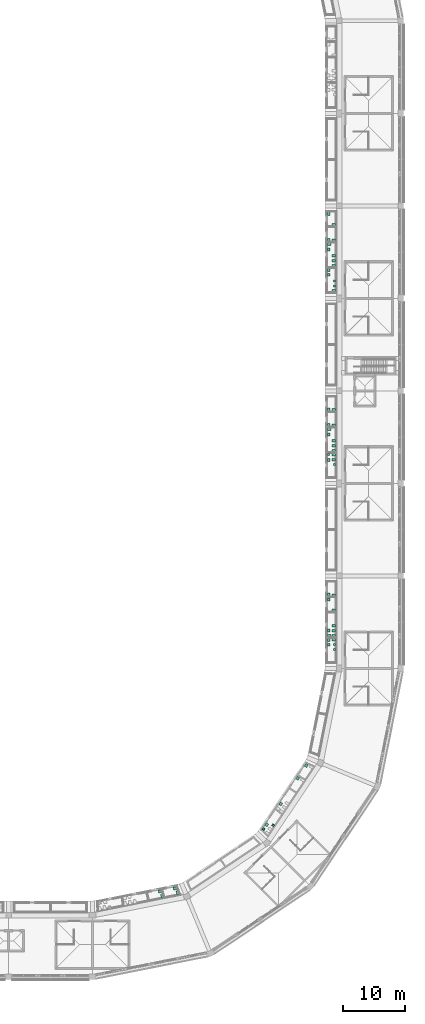
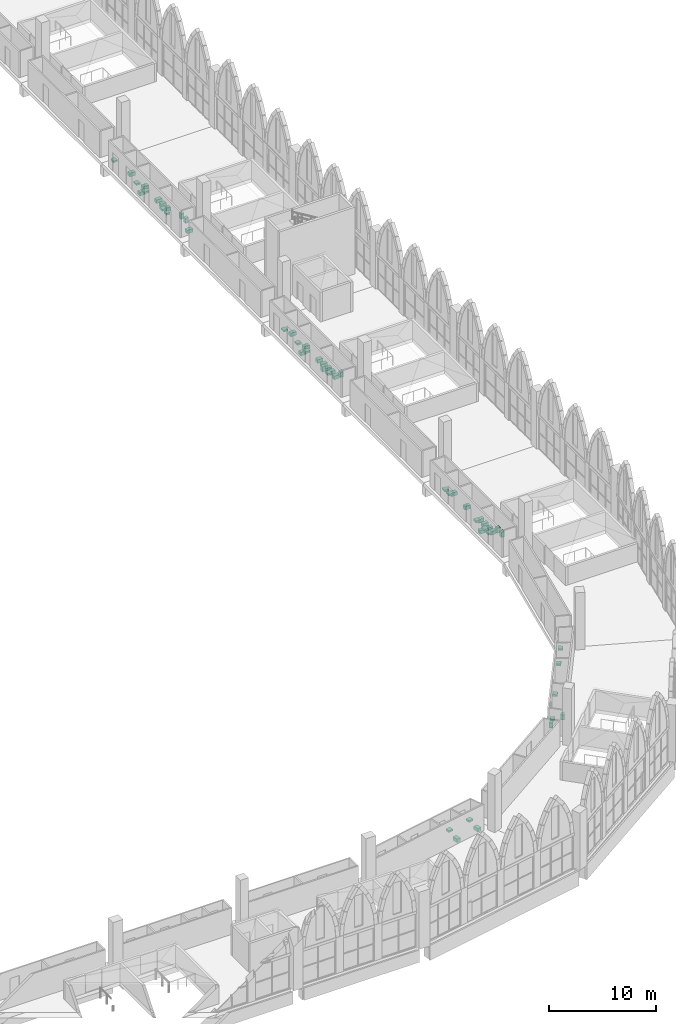
# One storey, part 127 of 130: 52 sanitary terminals.
"""IFC4 building model written with IfcOpenShell, lengths in metres."""

from ifc_helpers import new_model, si_unit, direction, frame, origin, origin_2d, place, context, subcontext, project, spatial, rectangle, extrude, material, type_object, element, save


model = new_model("IFC4")

# Units and contexts
model_context = context("Model", 3, precision=1e-05, world=origin(), true_north=direction((0.0, 1.0)))
body_context = subcontext(model_context, "Body", "Model", "MODEL_VIEW")
ifc_project = project(units=[si_unit("LENGTHUNIT", "METRE"), si_unit("AREAUNIT", "SQUARE_METRE"), si_unit("VOLUMEUNIT", "CUBIC_METRE"), si_unit("PLANEANGLEUNIT", "RADIAN"), si_unit("MASSUNIT", "GRAM", prefix="KILO")], contexts=[model_context])

# Site, building, storey
site_placement = place(None, origin())
site = spatial("IfcSite", under=ifc_project, at=site_placement, CompositionType="ELEMENT")
building_placement = place(site_placement, origin())
building = spatial("IfcBuilding", under=site, at=building_placement, Name="Ogive Plaza Stadium", CompositionType="ELEMENT")
storey_placement = place(building_placement, frame((0.0, 0.0, 22.5)))
storey = spatial("IfcBuildingStorey", under=building, at=storey_placement, Name="L05", CompositionType="ELEMENT", Elevation=22.5)

# Sanitary terminals
ifc_material_1 = material(Name="Vitreous china", Category="ceramic")
sanitary_terminal_type_1 = type_object("IfcSanitaryTerminalType", Name="Drinking fountain", PredefinedType="SANITARYFOUNTAIN", material=ifc_material_1)
for number, where, z_axis, x_axis, name in (
    (1, (72.27490234375, 11.342041015625, 0.7998046875), (0.0, 0.0, 1.0), (0.0, -1.0, 0.0), "Drinking fountain L05-007"),
    (2, (72.27490234375, -48.657958984375, 0.7998046875), (0.0, 0.0, 1.0), (0.0, -1.0, 0.0), "Drinking fountain L05-019"),
):
    element("IfcSanitaryTerminal", number, at=place(storey_placement, frame(where, z_axis=z_axis, x_axis=x_axis)), inside=storey, type_object=sanitary_terminal_type_1, Name=name, PredefinedType="SANITARYFOUNTAIN", context=body_context, shape_type="SweptSolid", body=[
        extrude(rectangle(XDim=0.449951171875, YDim=0.39990234375, at=origin_2d()), origin(), (0.0, 0.0, 1.0), 0.199951171875),
    ])
ifc_material_2 = material(Name="Vitreous china", Category="ceramic")
sanitary_terminal_type_2 = type_object("IfcSanitaryTerminalType", Name="Lavatory", PredefinedType="WASHHANDBASIN", material=ifc_material_2)
for number, where, z_axis, x_axis, name in (
    (3, (72.300048828125, 12.116943359375, 0.7998046875), (0.0, 0.0, 1.0), (0.0, -1.0, 0.0), "Lavatory L05-007"),
    (4, (72.300048828125, -18.68310546875, 0.7998046875), (0.0, 0.0, 1.0), (0.0, -1.0, 0.0), "Lavatory L05-013"),
    (5, (72.300048828125, -47.883056640625, 0.7998046875), (0.0, 0.0, 1.0), (0.0, -1.0, 0.0), "Lavatory L05-019"),
    (6, (62.25341796875, -77.8369140625, 0.7998046875), (0.0, 0.0, 1.0), (0.55557023302, 0.831469612303, 0.0), "Lavatory L05-025"),
    (7, (72.300048828125, 15.408935546875, 0.7998046875), (0.0, 0.0, 1.0), (0.0, -1.0, 0.0), "Lavatory L05-008"),
    (8, (72.300048828125, -14.591064453125, 0.7998046875), (0.0, 0.0, 1.0), (0.0, -1.0, 0.0), "Lavatory L05-014"),
    (9, (72.300048828125, -46.3330078125, 0.7998046875), (0.0, 0.0, 1.0), (0.0, 1.0, 0.0), "Lavatory L05-020"),
    (10, (64.507568359375, -74.46337890625, 0.7998046875), (0.0, 0.0, 1.0), (0.55557023302, 0.831469612303, 0.0), "Lavatory L05-026"),
    (11, (72.300048828125, 16.958984375, 0.7998046875), (0.0, 0.0, 1.0), (0.0, 1.0, 0.0), "Lavatory L05-009"),
    (12, (72.300048828125, 21.22509765625, 0.7998046875), (0.0, 0.0, 1.0), (0.0, -1.0, 0.0), "Lavatory L05-010"),
    (13, (72.300048828125, -13.041015625, 0.7998046875), (0.0, 0.0, 1.0), (0.0, 1.0, 0.0), "Lavatory L05-015"),
    (14, (72.300048828125, -10.532958984375, 0.7998046875), (0.0, 0.0, 1.0), (0.0, 1.0, 0.0), "Lavatory L05-016"),
    (15, (72.300048828125, -41.282958984375, 0.7998046875), (0.0, 0.0, 1.0), (0.0, -1.0, 0.0), "Lavatory L05-021"),
    (16, (72.300048828125, -40.532958984375, 0.7998046875), (0.0, 0.0, 1.0), (0.0, 1.0, 0.0), "Lavatory L05-022"),
    (17, (67.283447265625, -70.30908203125, 0.7998046875), (0.0, 0.0, 1.0), (-0.55557023302, -0.831469612303, 0.0), "Lavatory L05-027"),
    (18, (68.664794921875, -68.24169921875, 0.7998046875), (0.0, 0.0, 1.0), (-0.55557023302, -0.831469612303, 0.0), "Lavatory L05-028"),
    (19, (44.94189453125, -88.6279296875, 0.7998046875), (0.0, 0.0, 1.0), (-0.980785280403, -0.195090322016, 0.0), "Lavatory L05-033"),
    (20, (47.380615234375, -88.142822265625, 0.7998046875), (0.0, 0.0, 1.0), (-0.980785280403, -0.195090322016, 0.0), "Lavatory L05-034"),
):
    element("IfcSanitaryTerminal", number, at=place(storey_placement, frame(where, z_axis=z_axis, x_axis=x_axis)), inside=storey, type_object=sanitary_terminal_type_2, Name=name, PredefinedType="WASHHANDBASIN", context=body_context, shape_type="SweptSolid", body=[
        extrude(rectangle(XDim=0.5, YDim=0.449951171875, at=origin_2d()), origin(), (0.0, 0.0, 1.0), 0.199951171875),
    ])
ifc_material_3 = material(Name="Vitreous china", Category="ceramic")
sanitary_terminal_type_3 = type_object("IfcSanitaryTerminalType", Name="Urinal", PredefinedType="URINAL", material=ifc_material_3)
for number, where, z_axis, x_axis, name in (
    (21, (73.25, 9.5, 0.599853515625), (0.0, 0.0, 1.0), (0.0, 1.0, 0.0), "Urinal L05-007"),
    (22, (73.25, 10.300048828125, 0.599853515625), (0.0, 0.0, 1.0), (0.0, 1.0, 0.0), "Urinal L05-007"),
    (23, (73.25, -19.407958984375, 0.599853515625), (0.0, 0.0, 1.0), (0.0, -1.0, 0.0), "Urinal L05-013"),
    (24, (72.25, -17.80810546875, 0.599853515625), (0.0, 0.0, 1.0), (0.0, -1.0, 0.0), "Urinal L05-013"),
    (25, (73.25, -48.60791015625, 0.599853515625), (0.0, 0.0, 1.0), (0.0, -1.0, 0.0), "Urinal L05-019"),
    (26, (73.25, -49.407958984375, 0.599853515625), (0.0, 0.0, 1.0), (0.0, -1.0, 0.0), "Urinal L05-019"),
    (27, (63.297119140625, -77.938232421875, 0.599853515625), (0.0, 0.0, 1.0), (0.55557023302, 0.831469612303, 0.0), "Urinal L05-025"),
    (28, (61.725830078125, -78.53662109375, 0.599853515625), (0.0, 0.0, 1.0), (0.55557023302, 0.831469612303, 0.0), "Urinal L05-025"),
):
    element("IfcSanitaryTerminal", number, at=place(storey_placement, frame(where, z_axis=z_axis, x_axis=x_axis)), inside=storey, type_object=sanitary_terminal_type_3, Name=name, PredefinedType="URINAL", context=body_context, shape_type="SweptSolid", body=[
        extrude(rectangle(XDim=0.35009765625, YDim=0.35009765625, at=origin_2d()), origin(), (0.0, 0.0, 1.0), 0.60009765625),
    ])
ifc_material_4 = material(Name="Vitreous china", Category="ceramic")
sanitary_terminal_type_4 = type_object("IfcSanitaryTerminalType", Name="Water closet", PredefinedType="TOILETPAN", material=ifc_material_4)
for number, where, z_axis, x_axis, name in (
    (29, (73.125, 8.72509765625, 0.0), (0.0, 0.0, 1.0), (0.0, 1.0, 0.0), "Water closet L05-007"),
    (30, (73.125, -17.8330078125, 0.0), (0.0, 0.0, 1.0), (0.0, -1.0, 0.0), "Water closet L05-013"),
    (31, (73.125, -18.633056640625, 0.0), (0.0, 0.0, 1.0), (0.0, -1.0, 0.0), "Water closet L05-013"),
    (32, (73.125, -47.8330078125, 0.0), (0.0, 0.0, 1.0), (0.0, -1.0, 0.0), "Water closet L05-019"),
    (33, (73.125, 12.81689453125, 0.0), (0.0, 0.0, 1.0), (0.0, 1.0, 0.0), "Water closet L05-008"),
    (34, (73.125, 13.616943359375, 0.0), (0.0, 0.0, 1.0), (0.0, 1.0, 0.0), "Water closet L05-008"),
    (35, (73.125, 14.4169921875, 0.0), (0.0, 0.0, 1.0), (0.0, 1.0, 0.0), "Water closet L05-008"),
    (36, (72.375, 16.259033203125, 0.0), (0.0, 0.0, 1.0), (0.0, -1.0, 0.0), "Water closet L05-008"),
    (37, (73.125, -17.18310546875, 0.0), (0.0, 0.0, 1.0), (0.0, 1.0, 0.0), "Water closet L05-014"),
    (38, (73.125, -16.383056640625, 0.0), (0.0, 0.0, 1.0), (0.0, 1.0, 0.0), "Water closet L05-014"),
    (39, (73.125, -15.5830078125, 0.0), (0.0, 0.0, 1.0), (0.0, 1.0, 0.0), "Water closet L05-014"),
    (40, (72.375, -13.740966796875, 0.0), (0.0, 0.0, 1.0), (0.0, -1.0, 0.0), "Water closet L05-014"),
    (41, (73.125, -47.18310546875, 0.0), (0.0, 0.0, 1.0), (0.0, 1.0, 0.0), "Water closet L05-020"),
    (42, (73.125, -46.383056640625, 0.0), (0.0, 0.0, 1.0), (0.0, 1.0, 0.0), "Water closet L05-020"),
    (43, (73.125, -45.5830078125, 0.0), (0.0, 0.0, 1.0), (0.0, 1.0, 0.0), "Water closet L05-020"),
    (44, (72.375, -47.18310546875, 0.0), (0.0, 0.0, 1.0), (0.0, 1.0, 0.0), "Water closet L05-020"),
    (45, (73.125, 16.908935546875, 0.0), (0.0, 0.0, 1.0), (0.0, 1.0, 0.0), "Water closet L05-009"),
    (46, (73.125, 19.4169921875, 0.0), (0.0, 0.0, 1.0), (0.0, 1.0, 0.0), "Water closet L05-010"),
    (47, (73.125, -13.091064453125, 0.0), (0.0, 0.0, 1.0), (0.0, 1.0, 0.0), "Water closet L05-015"),
    (48, (73.125, -10.5830078125, 0.0), (0.0, 0.0, 1.0), (0.0, 1.0, 0.0), "Water closet L05-016"),
    (49, (73.125, -43.091064453125, 0.0), (0.0, 0.0, 1.0), (0.0, 1.0, 0.0), "Water closet L05-021"),
    (50, (73.125, -40.5830078125, 0.0), (0.0, 0.0, 1.0), (0.0, 1.0, 0.0), "Water closet L05-022"),
    (51, (45.285400390625, -89.374267578125, 0.0), (0.0, 0.0, 1.0), (-0.980785280403, -0.195090322016, 0.0), "Water closet L05-033"),
    (52, (47.810546875, -88.8720703125, 0.0), (0.0, 0.0, 1.0), (-0.980785280403, -0.195090322016, 0.0), "Water closet L05-034"),
):
    element("IfcSanitaryTerminal", number, at=place(storey_placement, frame(where, z_axis=z_axis, x_axis=x_axis)), inside=storey, type_object=sanitary_terminal_type_4, Name=name, PredefinedType="TOILETPAN", context=body_context, shape_type="SweptSolid", body=[
        extrude(rectangle(XDim=0.39990234375, YDim=0.60009765625, at=origin_2d()), origin(), (0.0, 0.0, 1.0), 0.39990234375),
    ])

save(model, "model.ifc")
